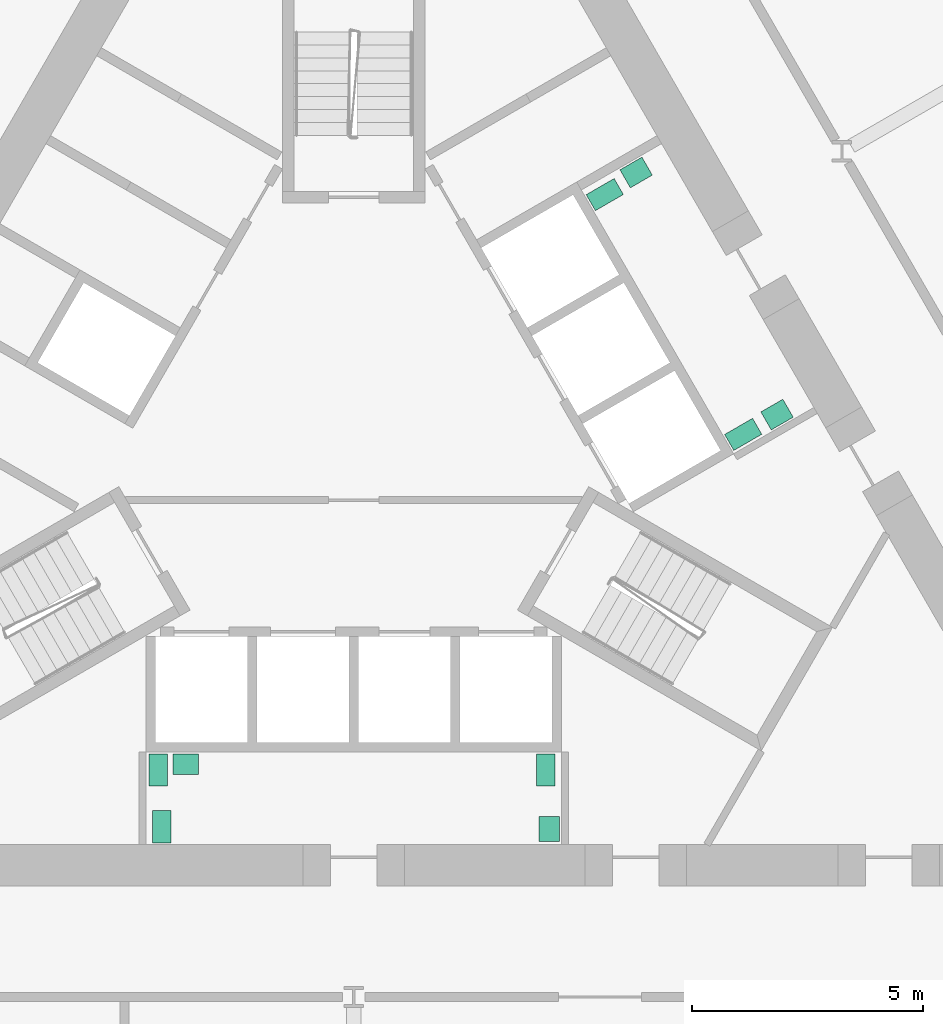
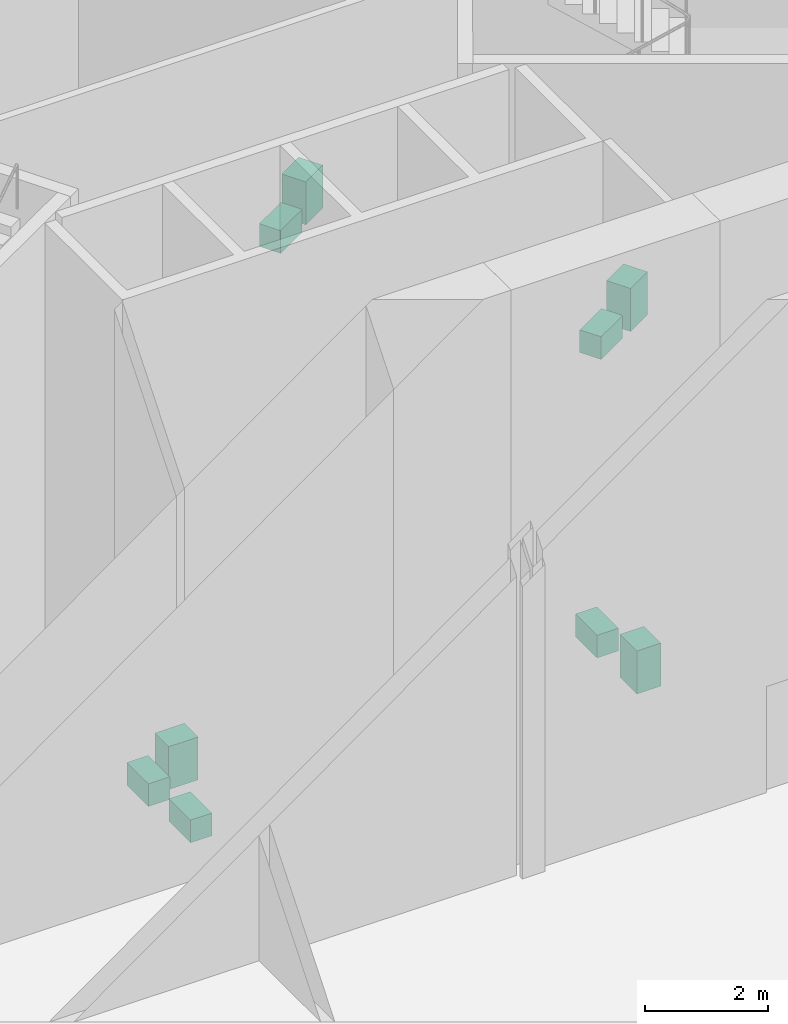
# One storey, part 16 of 17: 9 sanitary terminals.
"""IFC4 building model written with IfcOpenShell, lengths in metres."""

from ifc_helpers import new_model, si_unit, direction, frame, origin, origin_2d, place, context, subcontext, project, spatial, rectangle, extrude, material, type_object, element, save


model = new_model("IFC4")

# Units and contexts
model_context = context("Model", 3, precision=1e-05, world=origin(), true_north=direction((0.0, 1.0)))
body_context = subcontext(model_context, "Body", "Model", "MODEL_VIEW")
ifc_project = project(units=[si_unit("LENGTHUNIT", "METRE"), si_unit("AREAUNIT", "SQUARE_METRE"), si_unit("VOLUMEUNIT", "CUBIC_METRE"), si_unit("PLANEANGLEUNIT", "RADIAN"), si_unit("MASSUNIT", "GRAM", prefix="KILO")], contexts=[model_context])

# Site, building, storey
site_placement = place(None, origin())
site = spatial("IfcSite", under=ifc_project, at=site_placement, CompositionType="ELEMENT")
building_placement = place(site_placement, origin())
building = spatial("IfcBuilding", under=site, at=building_placement, Name="Cormorant Prow Tower", CompositionType="ELEMENT")
storey_placement = place(building_placement, frame((0.0, 0.0, 84.60009765625)))
storey = spatial("IfcBuildingStorey", under=building, at=storey_placement, Name="L18", CompositionType="ELEMENT", Elevation=84.60009765625)

# Sanitary terminals
ifc_material_1 = material(Name="Vitreous china")
sanitary_terminal_type_1 = type_object("IfcSanitaryTerminalType", Name="Wash basin 550x450", PredefinedType="WASHHANDBASIN", material=ifc_material_1)
for number, where, z_axis, x_axis, name in (
    (1, (4.235107421875, -8.574951171875, -0.000244140625), (0.0, 0.0, 1.0), (0.0, 1.0, 0.0), "Wash basin"),
    (2, (-3.639892578125, -7.1708984375, -0.000244140625), (0.0, 0.0, 1.0), (-1.0, 0.0, 0.0), "Wash basin"),
    (3, (6.118896484375, 5.651611328125, -0.000244140625), (0.0, 0.0, 1.0), (-0.866042856549, -0.499969769706, 0.0), "Wash basin"),
    (4, (9.172119140625, 0.405517578125, -0.000244140625), (0.0, 0.0, 1.0), (0.866016677006, 0.500015114919, 0.0), "Wash basin"),
):
    element("IfcSanitaryTerminal", number, at=place(storey_placement, frame(where, z_axis=z_axis, x_axis=x_axis)), inside=storey, type_object=sanitary_terminal_type_1, Name=name, PredefinedType="WASHHANDBASIN", context=body_context, shape_type="SweptSolid", body=[
        extrude(rectangle(XDim=0.550048828125, YDim=0.449951171875, at=origin_2d()), origin(), (0.0, 0.0, 1.0), 0.85009765625),
    ])
ifc_material_2 = material(Name="Vitreous china")
sanitary_terminal_type_2 = type_object("IfcSanitaryTerminalType", Name="Water closet 400x700", PredefinedType="WCSEAT", material=ifc_material_2)
for number, where, z_axis, x_axis, name in (
    (5, (-4.239990234375, -7.2958984375, 0.0), (0.0, 0.0, 1.0), (-1.0, 0.0, 0.0), "Water closet"),
    (6, (4.159912109375, -7.2958984375, 0.0), (0.0, 0.0, 1.0), (-1.0, 0.0, 0.0), "Water closet"),
    (7, (-4.159912109375, -8.52490234375, 0.0), (0.0, 0.0, 1.0), (1.0, 0.0, 0.0), "Water closet"),
    (8, (8.4384765625, -0.02392578125, 0.0), (0.0, 0.0, 1.0), (0.5, -0.866025403784, 0.0), "Water closet"),
    (9, (5.438720703125, 5.172119140625, 0.0), (0.0, 0.0, 1.0), (0.5, -0.866025403784, 0.0), "Water closet"),
):
    element("IfcSanitaryTerminal", number, at=place(storey_placement, frame(where, z_axis=z_axis, x_axis=x_axis)), inside=storey, type_object=sanitary_terminal_type_2, Name=name, PredefinedType="WCSEAT", context=body_context, shape_type="SweptSolid", body=[
        extrude(rectangle(XDim=0.39990234375, YDim=0.699951171875, at=origin_2d()), origin(), (0.0, 0.0, 1.0), 0.449951171875),
    ])

save(model, "model.ifc")
